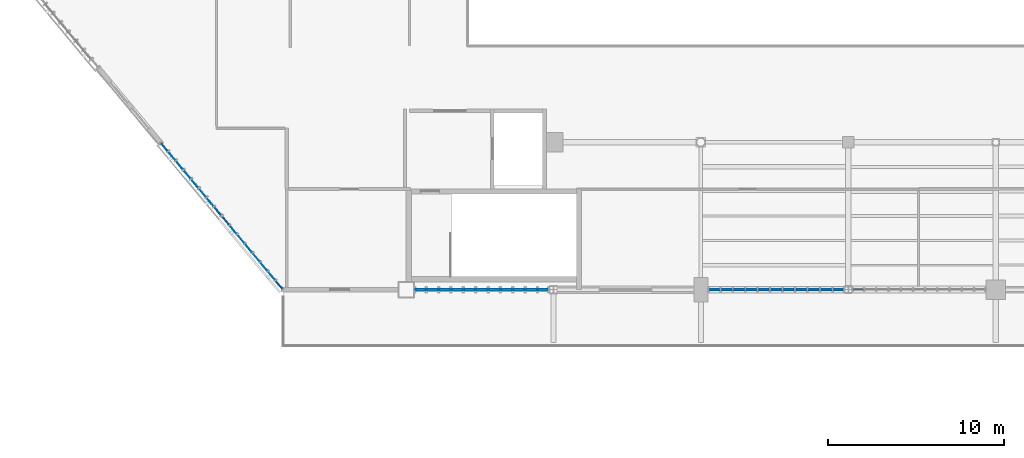
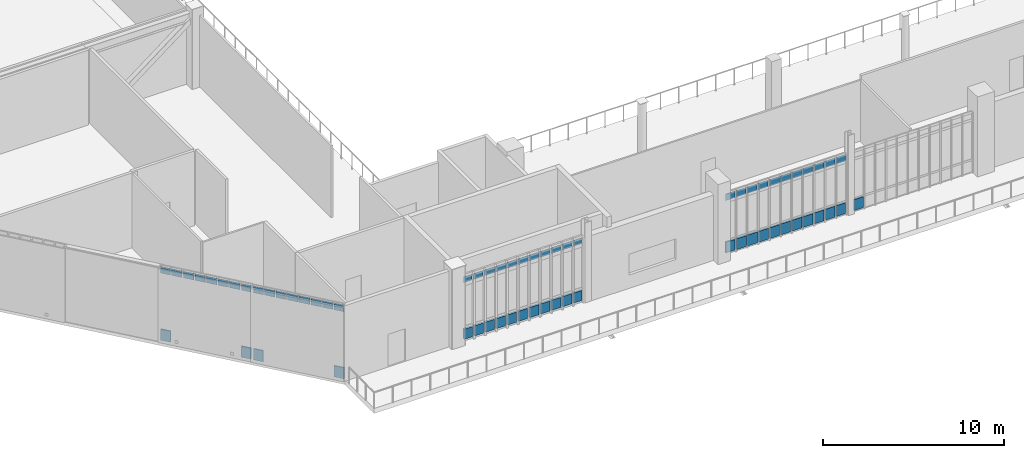
# One storey, part 90 of 135: 65 plates, 5 elements without a shape of their own.
"""IFC4 building model written with IfcOpenShell, lengths in metres."""

from ifc_helpers import new_model, si_unit, direction, frame, origin, origin_2d, place, context, subcontext, project, spatial, rectangle, extrude, material, layer, layer_set, type_object, element, aggregate, save


model = new_model("IFC4")

# Units and contexts
model_context = context("Model", 3, precision=1e-05, world=origin(), true_north=direction((0.0, 1.0)))
body_context = subcontext(model_context, "Body", "Model", "MODEL_VIEW")
ifc_project = project(units=[si_unit("LENGTHUNIT", "METRE"), si_unit("AREAUNIT", "SQUARE_METRE"), si_unit("VOLUMEUNIT", "CUBIC_METRE"), si_unit("PLANEANGLEUNIT", "RADIAN"), si_unit("MASSUNIT", "GRAM", prefix="KILO")], contexts=[model_context])

# Site, building, storey
site_placement = place(None, origin())
site = spatial("IfcSite", under=ifc_project, at=site_placement, CompositionType="ELEMENT")
building_placement = place(site_placement, origin())
building = spatial("IfcBuilding", under=site, at=building_placement, Name="Larkvane Passage Sports Hall", CompositionType="ELEMENT")
storey_placement = place(building_placement, frame((0.0, 0.0, 16.800048828125)))
storey = spatial("IfcBuildingStorey", under=building, at=storey_placement, Name="L03", CompositionType="ELEMENT", Elevation=16.800048828125)

# Curtain wall, plates
ifc_material_1 = material(Name="Thermally broken aluminium and low-E glazing", Category="aluminium")
curtain_wall_type_1 = type_object("IfcCurtainWallType", Name="CW-STICK-FOYER", PredefinedType="USERDEFINED", material=ifc_material_1)
curtain_wall_1_placement = place(storey_placement, origin())
curtain_wall_1 = element("IfcCurtainWall", 1, at=curtain_wall_1_placement, inside=storey, type_object=curtain_wall_type_1, Name="Curtain wall CW5-L03-126", ObjectType="STICK CURTAIN WALL", PredefinedType="USERDEFINED")
ifc_material_2 = material(Name="Fire-stopped shadow-box spandrel panel")
ifc_layer_1 = layer(ifc_material_2, 0.10498046875)
ifc_layer_set_1 = layer_set([ifc_layer_1], Name="Fire-stopped shadow-box spandrel panel")
plate_type_1 = type_object("IfcPlateType", Name="CWP-SPD-105", PredefinedType="CURTAIN_PANEL", material=ifc_layer_set_1)
plate_1_placement = place(storey_placement, frame((59.42578125, 22.800048828125, 0.080078125), z_axis=(0.0, 0.0, 1.0), x_axis=(-1.0, 0.0, 0.0)))
plate_1 = element("IfcPlate", 2, at=plate_1_placement, type_object=plate_type_1, Name="CW-03 panel 1.1", PredefinedType="CURTAIN_PANEL", context=body_context, shape_type="SweptSolid", body=[
    extrude(rectangle(XDim=0.589599609375, YDim=0.10498046875, at=origin_2d()), origin(), (0.0, 0.0, 1.0), 0.72998046875),
])
plate_2_placement = place(storey_placement, frame((58.736328125, 22.800048828125, 0.080078125), z_axis=(0.0, 0.0, 1.0), x_axis=(-1.0, 0.0, 0.0)))
plate_2 = element("IfcPlate", 3, at=plate_2_placement, type_object=plate_type_1, Name="CW-03 panel 2.1", PredefinedType="CURTAIN_PANEL", context=body_context, shape_type="SweptSolid", body=[
    extrude(rectangle(XDim=0.62939453125, YDim=0.10498046875, at=origin_2d()), origin(), (0.0, 0.0, 1.0), 0.72998046875),
])
plate_3_placement = place(storey_placement, frame((58.02685546875, 22.800048828125, 0.080078125), z_axis=(0.0, 0.0, 1.0), x_axis=(-1.0, 0.0, 0.0)))
plate_3 = element("IfcPlate", 4, at=plate_3_placement, type_object=plate_type_1, Name="CW-03 panel 3.1", PredefinedType="CURTAIN_PANEL", context=body_context, shape_type="SweptSolid", body=[
    extrude(rectangle(XDim=0.62939453125, YDim=0.10498046875, at=origin_2d()), origin(), (0.0, 0.0, 1.0), 0.72998046875),
])
plate_4_placement = place(storey_placement, frame((57.317138671875, 22.800048828125, 0.080078125), z_axis=(0.0, 0.0, 1.0), x_axis=(-1.0, 0.0, 0.0)))
plate_4 = element("IfcPlate", 5, at=plate_4_placement, type_object=plate_type_1, Name="CW-03 panel 4.1", PredefinedType="CURTAIN_PANEL", context=body_context, shape_type="SweptSolid", body=[
    extrude(rectangle(XDim=0.62939453125, YDim=0.10498046875, at=origin_2d()), origin(), (0.0, 0.0, 1.0), 0.72998046875),
])
plate_5_placement = place(storey_placement, frame((56.607666015625, 22.800048828125, 0.080078125), z_axis=(0.0, 0.0, 1.0), x_axis=(-1.0, 0.0, 0.0)))
plate_5 = element("IfcPlate", 6, at=plate_5_placement, type_object=plate_type_1, Name="CW-03 panel 5.1", PredefinedType="CURTAIN_PANEL", context=body_context, shape_type="SweptSolid", body=[
    extrude(rectangle(XDim=0.62939453125, YDim=0.10498046875, at=origin_2d()), origin(), (0.0, 0.0, 1.0), 0.72998046875),
])
plate_6_placement = place(storey_placement, frame((55.898193359375, 22.800048828125, 0.080078125), z_axis=(0.0, 0.0, 1.0), x_axis=(-1.0, 0.0, 0.0)))
plate_6 = element("IfcPlate", 7, at=plate_6_placement, type_object=plate_type_1, Name="CW-03 panel 6.1", PredefinedType="CURTAIN_PANEL", context=body_context, shape_type="SweptSolid", body=[
    extrude(rectangle(XDim=0.62939453125, YDim=0.10498046875, at=origin_2d()), origin(), (0.0, 0.0, 1.0), 0.72998046875),
])
plate_7_placement = place(storey_placement, frame((55.188720703125, 22.800048828125, 0.080078125), z_axis=(0.0, 0.0, 1.0), x_axis=(-1.0, 0.0, 0.0)))
plate_7 = element("IfcPlate", 8, at=plate_7_placement, type_object=plate_type_1, Name="CW-03 panel 7.1", PredefinedType="CURTAIN_PANEL", context=body_context, shape_type="SweptSolid", body=[
    extrude(rectangle(XDim=0.62939453125, YDim=0.10498046875, at=origin_2d()), origin(), (0.0, 0.0, 1.0), 0.72998046875),
])
plate_8_placement = place(storey_placement, frame((54.479248046875, 22.800048828125, 0.080078125), z_axis=(0.0, 0.0, 1.0), x_axis=(-1.0, 0.0, 0.0)))
plate_8 = element("IfcPlate", 9, at=plate_8_placement, type_object=plate_type_1, Name="CW-03 panel 8.1", PredefinedType="CURTAIN_PANEL", context=body_context, shape_type="SweptSolid", body=[
    extrude(rectangle(XDim=0.62939453125, YDim=0.10498046875, at=origin_2d()), origin(), (0.0, 0.0, 1.0), 0.72998046875),
])
plate_9_placement = place(storey_placement, frame((53.769775390625, 22.800048828125, 0.080078125), z_axis=(0.0, 0.0, 1.0), x_axis=(-1.0, 0.0, 0.0)))
plate_9 = element("IfcPlate", 10, at=plate_9_placement, type_object=plate_type_1, Name="CW-03 panel 9.1", PredefinedType="CURTAIN_PANEL", context=body_context, shape_type="SweptSolid", body=[
    extrude(rectangle(XDim=0.62939453125, YDim=0.10498046875, at=origin_2d()), origin(), (0.0, 0.0, 1.0), 0.72998046875),
])
plate_10_placement = place(storey_placement, frame((53.060302734375, 22.800048828125, 0.080078125), z_axis=(0.0, 0.0, 1.0), x_axis=(-1.0, 0.0, 0.0)))
plate_10 = element("IfcPlate", 11, at=plate_10_placement, type_object=plate_type_1, Name="CW-03 panel 10.1", PredefinedType="CURTAIN_PANEL", context=body_context, shape_type="SweptSolid", body=[
    extrude(rectangle(XDim=0.62939453125, YDim=0.10498046875, at=origin_2d()), origin(), (0.0, 0.0, 1.0), 0.72998046875),
])
plate_11_placement = place(storey_placement, frame((52.370849609375, 22.800048828125, 0.080078125), z_axis=(0.0, 0.0, 1.0), x_axis=(-1.0, 0.0, 0.0)))
plate_11 = element("IfcPlate", 12, at=plate_11_placement, type_object=plate_type_1, Name="CW-03 panel 11.1", PredefinedType="CURTAIN_PANEL", context=body_context, shape_type="SweptSolid", body=[
    extrude(rectangle(XDim=0.589599609375, YDim=0.10498046875, at=origin_2d()), origin(), (0.0, 0.0, 1.0), 0.72998046875),
])

curtain_wall_type_2 = type_object("IfcCurtainWallType", Name="CW-CLINIC", PredefinedType="USERDEFINED", material=ifc_material_1)
curtain_wall_2_placement = place(storey_placement, origin())
curtain_wall_2 = element("IfcCurtainWall", 13, at=curtain_wall_2_placement, inside=storey, type_object=curtain_wall_type_2, Name="Curtain wall CW5-L03-127", ObjectType="UNITISED CURTAIN WALL", PredefinedType="USERDEFINED")
ifc_material_3 = material(Name="Deep insulated facade spandrel panel")
ifc_layer_2 = layer(ifc_material_3, 0.125)
ifc_layer_set_2 = layer_set([ifc_layer_2], Name="Deep insulated facade spandrel panel")
plate_type_2 = type_object("IfcPlateType", Name="CWP-SPD-125", PredefinedType="CURTAIN_PANEL", material=ifc_layer_set_2)
plate_12_placement = place(storey_placement, frame((42.61572265625, 22.800048828125, 0.10986328125), z_axis=(0.0, 0.0, 1.0), x_axis=(-1.0, 0.0, 0.0)))
plate_12 = element("IfcPlate", 14, at=plate_12_placement, type_object=plate_type_2, Name="CW-05 panel 1.1", PredefinedType="CURTAIN_PANEL", context=body_context, shape_type="SweptSolid", body=[
    extrude(rectangle(XDim=0.53955078125, YDim=0.125, at=origin_2d()), origin(), (0.0, 0.0, 1.0), 0.68505859375),
])
plate_13_placement = place(storey_placement, frame((41.938720703125, 22.800048828125, 0.10986328125), z_axis=(0.0, 0.0, 1.0), x_axis=(-1.0, 0.0, 0.0)))
plate_13 = element("IfcPlate", 15, at=plate_13_placement, type_object=plate_type_2, Name="CW-05 panel 2.1", PredefinedType="CURTAIN_PANEL", context=body_context, shape_type="SweptSolid", body=[
    extrude(rectangle(XDim=0.594482421875, YDim=0.125, at=origin_2d()), origin(), (0.0, 0.0, 1.0), 0.68505859375),
])
plate_14_placement = place(storey_placement, frame((41.234130859375, 22.800048828125, 0.10986328125), z_axis=(0.0, 0.0, 1.0), x_axis=(-1.0, 0.0, 0.0)))
plate_14 = element("IfcPlate", 16, at=plate_14_placement, type_object=plate_type_2, Name="CW-05 panel 3.1", PredefinedType="CURTAIN_PANEL", context=body_context, shape_type="SweptSolid", body=[
    extrude(rectangle(XDim=0.594482421875, YDim=0.125, at=origin_2d()), origin(), (0.0, 0.0, 1.0), 0.68505859375),
])
plate_15_placement = place(storey_placement, frame((40.52978515625, 22.800048828125, 0.10986328125), z_axis=(0.0, 0.0, 1.0), x_axis=(-1.0, 0.0, 0.0)))
plate_15 = element("IfcPlate", 17, at=plate_15_placement, type_object=plate_type_2, Name="CW-05 panel 4.1", PredefinedType="CURTAIN_PANEL", context=body_context, shape_type="SweptSolid", body=[
    extrude(rectangle(XDim=0.594482421875, YDim=0.125, at=origin_2d()), origin(), (0.0, 0.0, 1.0), 0.68505859375),
])
plate_16_placement = place(storey_placement, frame((39.8251953125, 22.800048828125, 0.10986328125), z_axis=(0.0, 0.0, 1.0), x_axis=(-1.0, 0.0, 0.0)))
plate_16 = element("IfcPlate", 18, at=plate_16_placement, type_object=plate_type_2, Name="CW-05 panel 5.1", PredefinedType="CURTAIN_PANEL", context=body_context, shape_type="SweptSolid", body=[
    extrude(rectangle(XDim=0.594482421875, YDim=0.125, at=origin_2d()), origin(), (0.0, 0.0, 1.0), 0.68505859375),
])
plate_17_placement = place(storey_placement, frame((39.120849609375, 22.800048828125, 0.10986328125), z_axis=(0.0, 0.0, 1.0), x_axis=(-1.0, 0.0, 0.0)))
plate_17 = element("IfcPlate", 19, at=plate_17_placement, type_object=plate_type_2, Name="CW-05 panel 6.1", PredefinedType="CURTAIN_PANEL", context=body_context, shape_type="SweptSolid", body=[
    extrude(rectangle(XDim=0.594482421875, YDim=0.125, at=origin_2d()), origin(), (0.0, 0.0, 1.0), 0.68505859375),
])
plate_18_placement = place(storey_placement, frame((38.416259765625, 22.800048828125, 0.10986328125), z_axis=(0.0, 0.0, 1.0), x_axis=(-1.0, 0.0, 0.0)))
plate_18 = element("IfcPlate", 20, at=plate_18_placement, type_object=plate_type_2, Name="CW-05 panel 7.1", PredefinedType="CURTAIN_PANEL", context=body_context, shape_type="SweptSolid", body=[
    extrude(rectangle(XDim=0.594482421875, YDim=0.125, at=origin_2d()), origin(), (0.0, 0.0, 1.0), 0.68505859375),
])
plate_19_placement = place(storey_placement, frame((37.711669921875, 22.800048828125, 0.10986328125), z_axis=(0.0, 0.0, 1.0), x_axis=(-1.0, 0.0, 0.0)))
plate_19 = element("IfcPlate", 21, at=plate_19_placement, type_object=plate_type_2, Name="CW-05 panel 8.1", PredefinedType="CURTAIN_PANEL", context=body_context, shape_type="SweptSolid", body=[
    extrude(rectangle(XDim=0.594482421875, YDim=0.125, at=origin_2d()), origin(), (0.0, 0.0, 1.0), 0.68505859375),
])
plate_20_placement = place(storey_placement, frame((37.00732421875, 22.800048828125, 0.10986328125), z_axis=(0.0, 0.0, 1.0), x_axis=(-1.0, 0.0, 0.0)))
plate_20 = element("IfcPlate", 22, at=plate_20_placement, type_object=plate_type_2, Name="CW-05 panel 9.1", PredefinedType="CURTAIN_PANEL", context=body_context, shape_type="SweptSolid", body=[
    extrude(rectangle(XDim=0.594482421875, YDim=0.125, at=origin_2d()), origin(), (0.0, 0.0, 1.0), 0.68505859375),
])
plate_21_placement = place(storey_placement, frame((36.302734375, 22.800048828125, 0.10986328125), z_axis=(0.0, 0.0, 1.0), x_axis=(-1.0, 0.0, 0.0)))
plate_21 = element("IfcPlate", 23, at=plate_21_placement, type_object=plate_type_2, Name="CW-05 panel 10.1", PredefinedType="CURTAIN_PANEL", context=body_context, shape_type="SweptSolid", body=[
    extrude(rectangle(XDim=0.594482421875, YDim=0.125, at=origin_2d()), origin(), (0.0, 0.0, 1.0), 0.68505859375),
])
plate_22_placement = place(storey_placement, frame((35.625732421875, 22.800048828125, 0.10986328125), z_axis=(0.0, 0.0, 1.0), x_axis=(-1.0, 0.0, 0.0)))
plate_22 = element("IfcPlate", 24, at=plate_22_placement, type_object=plate_type_2, Name="CW-05 panel 11.1", PredefinedType="CURTAIN_PANEL", context=body_context, shape_type="SweptSolid", body=[
    extrude(rectangle(XDim=0.53955078125, YDim=0.125, at=origin_2d()), origin(), (0.0, 0.0, 1.0), 0.68505859375),
])

curtain_wall_type_3 = type_object("IfcCurtainWallType", Name="CW-UNIT-COURT", PredefinedType="USERDEFINED", material=ifc_material_1)
curtain_wall_3_placement = place(storey_placement, origin())
curtain_wall_3 = element("IfcCurtainWall", 25, at=curtain_wall_3_placement, inside=storey, type_object=curtain_wall_type_3, Name="Curtain wall CW5-L03-128", ObjectType="UNITISED CURTAIN WALL", PredefinedType="USERDEFINED")
ifc_material_4 = material(Name="Insulated aluminium spandrel panel", Category="aluminium")
ifc_layer_3 = layer(ifc_material_4, 0.06494140625)
ifc_layer_set_3 = layer_set([ifc_layer_3], Name="Insulated aluminium spandrel panel")
plate_type_3 = type_object("IfcPlateType", Name="CWP-SPD-65", PredefinedType="CURTAIN_PANEL", material=ifc_layer_set_3)
plate_23_placement = place(storey_placement, frame((27.57080078125, 23.074951171875, 0.06494140625), z_axis=(0.0, 0.0, 1.0), x_axis=(-0.640184399661, 0.7682212796, 0.0)))
plate_23 = element("IfcPlate", 26, at=plate_23_placement, type_object=plate_type_3, Name="CW-01 panel 1.1", PredefinedType="CURTAIN_PANEL", context=body_context, shape_type="SweptSolid", body=[
    extrude(rectangle(XDim=0.5859375, YDim=0.06494140625, at=origin_2d()), origin(), (0.0, 0.0, 1.0), 0.75244140625),
])
plate_24_placement = place(storey_placement, frame((24.529052734375, 26.72509765625, 0.06494140625), z_axis=(0.0, 0.0, 1.0), x_axis=(-0.640184399661, 0.7682212796, 0.0)))
plate_24 = element("IfcPlate", 27, at=plate_24_placement, type_object=plate_type_3, Name="CW-01 panel 8.1", PredefinedType="CURTAIN_PANEL", context=body_context, shape_type="SweptSolid", body=[
    extrude(rectangle(XDim=0.5859375, YDim=0.06494140625, at=origin_2d()), origin(), (0.0, 0.0, 1.0), 0.75244140625),
])

# Curtain wall, plate
curtain_wall_type_4 = type_object("IfcCurtainWallType", Name="CW-UNIT-VEIL", PredefinedType="USERDEFINED", material=ifc_material_1)
curtain_wall_4_placement = place(storey_placement, origin())
curtain_wall_4 = element("IfcCurtainWall", 28, at=curtain_wall_4_placement, inside=storey, type_object=curtain_wall_type_4, Name="Curtain wall CW5-L03-125", ObjectType="UNITISED CURTAIN WALL", PredefinedType="USERDEFINED")
ifc_material_5 = material(Name="Mineral-wool insulated spandrel cassette")
ifc_layer_4 = layer(ifc_material_5, 0.0849609375)
ifc_layer_set_4 = layer_set([ifc_layer_4], Name="Mineral-wool insulated spandrel cassette")
plate_type_4 = type_object("IfcPlateType", Name="CWP-SPD-85", PredefinedType="CURTAIN_PANEL", material=ifc_layer_set_4)
plate_25_placement = place(storey_placement, frame((60.56494140625, 22.800048828125, 0.06982421875), z_axis=(0.0, 0.0, 1.0), x_axis=(-1.0, 0.0, 0.0)))
plate_25 = element("IfcPlate", 29, at=plate_25_placement, type_object=plate_type_4, Name="CW-02 panel 11.1", PredefinedType="CURTAIN_PANEL", context=body_context, shape_type="SweptSolid", body=[
    extrude(rectangle(XDim=0.5908203125, YDim=0.0849609375, at=origin_2d()), origin(), (0.0, 0.0, 1.0), 0.7451171875),
])
aggregate(curtain_wall_4, [plate_25])

# Curtain wall, plates
curtain_wall_5_placement = place(storey_placement, origin())
curtain_wall_5 = element("IfcCurtainWall", 30, at=curtain_wall_5_placement, inside=storey, type_object=curtain_wall_type_4, Name="Curtain wall CW5-L03-129", ObjectType="UNITISED CURTAIN WALL", PredefinedType="USERDEFINED")
plate_26_placement = place(storey_placement, frame((24.0693359375, 27.27685546875, 0.07470703125), z_axis=(0.0, 0.0, 1.0), x_axis=(-0.640184399661, 0.7682212796, 0.0)))
plate_26 = element("IfcPlate", 31, at=plate_26_placement, type_object=plate_type_4, Name="CW-02 panel 1.1", PredefinedType="CURTAIN_PANEL", context=body_context, shape_type="SweptSolid", body=[
    extrude(rectangle(XDim=0.57080078125, YDim=0.0849609375, at=origin_2d()), origin(), (0.0, 0.0, 1.0), 0.737548828125),
])
plate_27_placement = place(storey_placement, frame((21.03076171875, 30.923095703125, 0.07470703125), z_axis=(0.0, 0.0, 1.0), x_axis=(-0.640184399661, 0.7682212796, 0.0)))
plate_27 = element("IfcPlate", 32, at=plate_27_placement, type_object=plate_type_4, Name="CW-02 panel 8.1", PredefinedType="CURTAIN_PANEL", context=body_context, shape_type="SweptSolid", body=[
    extrude(rectangle(XDim=0.57080078125, YDim=0.0849609375, at=origin_2d()), origin(), (0.0, 0.0, 1.0), 0.737548828125),
])

# Plate
ifc_material_6 = material(Name="Solar-control low-E double glazing", Category="glass")
ifc_layer_5 = layer(ifc_material_6, 0.028076171875)
ifc_layer_set_5 = layer_set([ifc_layer_5], Name="Solar-control low-E double glazing")
plate_type_5 = type_object("IfcPlateType", Name="CWP-VIS-28", PredefinedType="CURTAIN_PANEL", material=ifc_layer_set_5)
plate_28_placement = place(storey_placement, frame((27.57080078125, 23.074951171875, 4.58251953125), z_axis=(0.0, 0.0, 1.0), x_axis=(-0.640184399661, 0.7682212796, 0.0)))
plate_28 = element("IfcPlate", 33, at=plate_28_placement, type_object=plate_type_5, Name="CW-01 panel 1.3", PredefinedType="CURTAIN_PANEL", context=body_context, shape_type="SweptSolid", body=[
    extrude(rectangle(XDim=0.5859375, YDim=0.028076171875, at=origin_2d()), origin(), (0.0, 0.0, 1.0), 0.452392578125),
])

plate_29_placement = place(storey_placement, frame((27.143798828125, 23.58740234375, 4.58251953125), z_axis=(0.0, 0.0, 1.0), x_axis=(-0.640184399661, 0.7682212796, 0.0)))
plate_29 = element("IfcPlate", 34, at=plate_29_placement, type_object=plate_type_5, Name="CW-01 panel 2.3", PredefinedType="CURTAIN_PANEL", context=body_context, shape_type="SweptSolid", body=[
    extrude(rectangle(XDim=0.618408203125, YDim=0.028076171875, at=origin_2d()), origin(), (0.0, 0.0, 1.0), 0.452392578125),
])

plate_30_placement = place(storey_placement, frame((26.706298828125, 24.112548828125, 4.58251953125), z_axis=(0.0, 0.0, 1.0), x_axis=(-0.640184399661, 0.7682212796, 0.0)))
plate_30 = element("IfcPlate", 35, at=plate_30_placement, type_object=plate_type_5, Name="CW-01 panel 3.3", PredefinedType="CURTAIN_PANEL", context=body_context, shape_type="SweptSolid", body=[
    extrude(rectangle(XDim=0.618408203125, YDim=0.028076171875, at=origin_2d()), origin(), (0.0, 0.0, 1.0), 0.452392578125),
])

plate_31_placement = place(storey_placement, frame((26.268798828125, 24.637451171875, 4.58251953125), z_axis=(0.0, 0.0, 1.0), x_axis=(-0.640184399661, 0.7682212796, 0.0)))
plate_31 = element("IfcPlate", 36, at=plate_31_placement, type_object=plate_type_5, Name="CW-01 panel 4.3", PredefinedType="CURTAIN_PANEL", context=body_context, shape_type="SweptSolid", body=[
    extrude(rectangle(XDim=0.618408203125, YDim=0.028076171875, at=origin_2d()), origin(), (0.0, 0.0, 1.0), 0.452392578125),
])

plate_32_placement = place(storey_placement, frame((25.831298828125, 25.16259765625, 4.58251953125), z_axis=(0.0, 0.0, 1.0), x_axis=(-0.640184399661, 0.7682212796, 0.0)))
plate_32 = element("IfcPlate", 37, at=plate_32_placement, type_object=plate_type_5, Name="CW-01 panel 5.3", PredefinedType="CURTAIN_PANEL", context=body_context, shape_type="SweptSolid", body=[
    extrude(rectangle(XDim=0.618408203125, YDim=0.028076171875, at=origin_2d()), origin(), (0.0, 0.0, 1.0), 0.452392578125),
])

plate_33_placement = place(storey_placement, frame((25.393798828125, 25.6875, 4.58251953125), z_axis=(0.0, 0.0, 1.0), x_axis=(-0.640184399661, 0.7682212796, 0.0)))
plate_33 = element("IfcPlate", 38, at=plate_33_placement, type_object=plate_type_5, Name="CW-01 panel 6.3", PredefinedType="CURTAIN_PANEL", context=body_context, shape_type="SweptSolid", body=[
    extrude(rectangle(XDim=0.618408203125, YDim=0.028076171875, at=origin_2d()), origin(), (0.0, 0.0, 1.0), 0.452392578125),
])

plate_34_placement = place(storey_placement, frame((24.956298828125, 26.21240234375, 4.58251953125), z_axis=(0.0, 0.0, 1.0), x_axis=(-0.640184399661, 0.7682212796, 0.0)))
plate_34 = element("IfcPlate", 39, at=plate_34_placement, type_object=plate_type_5, Name="CW-01 panel 7.3", PredefinedType="CURTAIN_PANEL", context=body_context, shape_type="SweptSolid", body=[
    extrude(rectangle(XDim=0.618408203125, YDim=0.028076171875, at=origin_2d()), origin(), (0.0, 0.0, 1.0), 0.452392578125),
])

plate_35_placement = place(storey_placement, frame((24.529052734375, 26.72509765625, 4.58251953125), z_axis=(0.0, 0.0, 1.0), x_axis=(-0.640184399661, 0.7682212796, 0.0)))
plate_35 = element("IfcPlate", 40, at=plate_35_placement, type_object=plate_type_5, Name="CW-01 panel 8.3", PredefinedType="CURTAIN_PANEL", context=body_context, shape_type="SweptSolid", body=[
    extrude(rectangle(XDim=0.5859375, YDim=0.028076171875, at=origin_2d()), origin(), (0.0, 0.0, 1.0), 0.452392578125),
])

aggregate(curtain_wall_3, [plate_23, plate_28, plate_29, plate_30, plate_31, plate_32, plate_33, plate_34, plate_24, plate_35])

ifc_material_7 = material(Name="Laminated acoustic low-E glazing", Category="glass")
ifc_layer_6 = layer(ifc_material_7, 0.031982421875)
ifc_layer_set_6 = layer_set([ifc_layer_6], Name="Laminated acoustic low-E glazing")
plate_type_6 = type_object("IfcPlateType", Name="CWP-VIS-32", PredefinedType="CURTAIN_PANEL", material=ifc_layer_set_6)
plate_36_placement = place(storey_placement, frame((24.0693359375, 27.27685546875, 4.58740234375), z_axis=(0.0, 0.0, 1.0), x_axis=(-0.640184399661, 0.7682212796, 0.0)))
plate_36 = element("IfcPlate", 41, at=plate_36_placement, type_object=plate_type_6, Name="CW-02 panel 1.3", PredefinedType="CURTAIN_PANEL", context=body_context, shape_type="SweptSolid", body=[
    extrude(rectangle(XDim=0.57080078125, YDim=0.031982421875, at=origin_2d()), origin(), (0.0, 0.0, 1.0), 0.4375),
])

plate_37_placement = place(storey_placement, frame((23.643798828125, 27.78759765625, 4.58740234375), z_axis=(0.0, 0.0, 1.0), x_axis=(-0.640184399661, 0.7682212796, 0.0)))
plate_37 = element("IfcPlate", 42, at=plate_37_placement, type_object=plate_type_6, Name="CW-02 panel 2.3", PredefinedType="CURTAIN_PANEL", context=body_context, shape_type="SweptSolid", body=[
    extrude(rectangle(XDim=0.6083984375, YDim=0.031982421875, at=origin_2d()), origin(), (0.0, 0.0, 1.0), 0.4375),
])

plate_38_placement = place(storey_placement, frame((23.206298828125, 28.3125, 4.58740234375), z_axis=(0.0, 0.0, 1.0), x_axis=(-0.640184399661, 0.7682212796, 0.0)))
plate_38 = element("IfcPlate", 43, at=plate_38_placement, type_object=plate_type_6, Name="CW-02 panel 3.3", PredefinedType="CURTAIN_PANEL", context=body_context, shape_type="SweptSolid", body=[
    extrude(rectangle(XDim=0.6083984375, YDim=0.031982421875, at=origin_2d()), origin(), (0.0, 0.0, 1.0), 0.4375),
])

plate_39_placement = place(storey_placement, frame((22.768798828125, 28.83740234375, 4.58740234375), z_axis=(0.0, 0.0, 1.0), x_axis=(-0.640184399661, 0.7682212796, 0.0)))
plate_39 = element("IfcPlate", 44, at=plate_39_placement, type_object=plate_type_6, Name="CW-02 panel 4.3", PredefinedType="CURTAIN_PANEL", context=body_context, shape_type="SweptSolid", body=[
    extrude(rectangle(XDim=0.6083984375, YDim=0.031982421875, at=origin_2d()), origin(), (0.0, 0.0, 1.0), 0.4375),
])

plate_40_placement = place(storey_placement, frame((22.331298828125, 29.362548828125, 4.58740234375), z_axis=(0.0, 0.0, 1.0), x_axis=(-0.640184399661, 0.7682212796, 0.0)))
plate_40 = element("IfcPlate", 45, at=plate_40_placement, type_object=plate_type_6, Name="CW-02 panel 5.3", PredefinedType="CURTAIN_PANEL", context=body_context, shape_type="SweptSolid", body=[
    extrude(rectangle(XDim=0.6083984375, YDim=0.031982421875, at=origin_2d()), origin(), (0.0, 0.0, 1.0), 0.4375),
])

plate_41_placement = place(storey_placement, frame((21.893798828125, 29.887451171875, 4.58740234375), z_axis=(0.0, 0.0, 1.0), x_axis=(-0.640184399661, 0.7682212796, 0.0)))
plate_41 = element("IfcPlate", 46, at=plate_41_placement, type_object=plate_type_6, Name="CW-02 panel 6.3", PredefinedType="CURTAIN_PANEL", context=body_context, shape_type="SweptSolid", body=[
    extrude(rectangle(XDim=0.6083984375, YDim=0.031982421875, at=origin_2d()), origin(), (0.0, 0.0, 1.0), 0.4375),
])

plate_42_placement = place(storey_placement, frame((21.456298828125, 30.41259765625, 4.58740234375), z_axis=(0.0, 0.0, 1.0), x_axis=(-0.640184399661, 0.7682212796, 0.0)))
plate_42 = element("IfcPlate", 47, at=plate_42_placement, type_object=plate_type_6, Name="CW-02 panel 7.3", PredefinedType="CURTAIN_PANEL", context=body_context, shape_type="SweptSolid", body=[
    extrude(rectangle(XDim=0.6083984375, YDim=0.031982421875, at=origin_2d()), origin(), (0.0, 0.0, 1.0), 0.4375),
])

plate_43_placement = place(storey_placement, frame((21.03076171875, 30.923095703125, 4.58740234375), z_axis=(0.0, 0.0, 1.0), x_axis=(-0.640184399661, 0.7682212796, 0.0)))
plate_43 = element("IfcPlate", 48, at=plate_43_placement, type_object=plate_type_6, Name="CW-02 panel 8.3", PredefinedType="CURTAIN_PANEL", context=body_context, shape_type="SweptSolid", body=[
    extrude(rectangle(XDim=0.57080078125, YDim=0.031982421875, at=origin_2d()), origin(), (0.0, 0.0, 1.0), 0.4375),
])

aggregate(curtain_wall_5, [plate_26, plate_36, plate_37, plate_38, plate_39, plate_40, plate_41, plate_42, plate_27, plate_43])

ifc_material_8 = material(Name="High-impact court low-E glazing", Category="glass")
ifc_layer_7 = layer(ifc_material_8, 0.035888671875)
ifc_layer_set_7 = layer_set([ifc_layer_7], Name="High-impact court low-E glazing")
plate_type_7 = type_object("IfcPlateType", Name="CWP-VIS-36", PredefinedType="CURTAIN_PANEL", material=ifc_layer_set_7)
plate_44_placement = place(storey_placement, frame((59.42578125, 22.800048828125, 3.59814453125), z_axis=(0.0, 0.0, 1.0), x_axis=(-1.0, 0.0, 0.0)))
plate_44 = element("IfcPlate", 49, at=plate_44_placement, type_object=plate_type_7, Name="CW-03 panel 1.3", PredefinedType="CURTAIN_PANEL", context=body_context, shape_type="SweptSolid", body=[
    extrude(rectangle(XDim=0.589599609375, YDim=0.035888671875, at=origin_2d()), origin(), (0.0, 0.0, 1.0), 0.429931640625),
])

plate_45_placement = place(storey_placement, frame((58.736328125, 22.800048828125, 3.59814453125), z_axis=(0.0, 0.0, 1.0), x_axis=(-1.0, 0.0, 0.0)))
plate_45 = element("IfcPlate", 50, at=plate_45_placement, type_object=plate_type_7, Name="CW-03 panel 2.3", PredefinedType="CURTAIN_PANEL", context=body_context, shape_type="SweptSolid", body=[
    extrude(rectangle(XDim=0.62939453125, YDim=0.035888671875, at=origin_2d()), origin(), (0.0, 0.0, 1.0), 0.429931640625),
])

plate_46_placement = place(storey_placement, frame((58.02685546875, 22.800048828125, 3.59814453125), z_axis=(0.0, 0.0, 1.0), x_axis=(-1.0, 0.0, 0.0)))
plate_46 = element("IfcPlate", 51, at=plate_46_placement, type_object=plate_type_7, Name="CW-03 panel 3.3", PredefinedType="CURTAIN_PANEL", context=body_context, shape_type="SweptSolid", body=[
    extrude(rectangle(XDim=0.62939453125, YDim=0.035888671875, at=origin_2d()), origin(), (0.0, 0.0, 1.0), 0.429931640625),
])

plate_47_placement = place(storey_placement, frame((57.317138671875, 22.800048828125, 3.59814453125), z_axis=(0.0, 0.0, 1.0), x_axis=(-1.0, 0.0, 0.0)))
plate_47 = element("IfcPlate", 52, at=plate_47_placement, type_object=plate_type_7, Name="CW-03 panel 4.3", PredefinedType="CURTAIN_PANEL", context=body_context, shape_type="SweptSolid", body=[
    extrude(rectangle(XDim=0.62939453125, YDim=0.035888671875, at=origin_2d()), origin(), (0.0, 0.0, 1.0), 0.429931640625),
])

plate_48_placement = place(storey_placement, frame((56.607666015625, 22.800048828125, 3.59814453125), z_axis=(0.0, 0.0, 1.0), x_axis=(-1.0, 0.0, 0.0)))
plate_48 = element("IfcPlate", 53, at=plate_48_placement, type_object=plate_type_7, Name="CW-03 panel 5.3", PredefinedType="CURTAIN_PANEL", context=body_context, shape_type="SweptSolid", body=[
    extrude(rectangle(XDim=0.62939453125, YDim=0.035888671875, at=origin_2d()), origin(), (0.0, 0.0, 1.0), 0.429931640625),
])

plate_49_placement = place(storey_placement, frame((55.898193359375, 22.800048828125, 3.59814453125), z_axis=(0.0, 0.0, 1.0), x_axis=(-1.0, 0.0, 0.0)))
plate_49 = element("IfcPlate", 54, at=plate_49_placement, type_object=plate_type_7, Name="CW-03 panel 6.3", PredefinedType="CURTAIN_PANEL", context=body_context, shape_type="SweptSolid", body=[
    extrude(rectangle(XDim=0.62939453125, YDim=0.035888671875, at=origin_2d()), origin(), (0.0, 0.0, 1.0), 0.429931640625),
])

plate_50_placement = place(storey_placement, frame((55.188720703125, 22.800048828125, 3.59814453125), z_axis=(0.0, 0.0, 1.0), x_axis=(-1.0, 0.0, 0.0)))
plate_50 = element("IfcPlate", 55, at=plate_50_placement, type_object=plate_type_7, Name="CW-03 panel 7.3", PredefinedType="CURTAIN_PANEL", context=body_context, shape_type="SweptSolid", body=[
    extrude(rectangle(XDim=0.62939453125, YDim=0.035888671875, at=origin_2d()), origin(), (0.0, 0.0, 1.0), 0.429931640625),
])

plate_51_placement = place(storey_placement, frame((54.479248046875, 22.800048828125, 3.59814453125), z_axis=(0.0, 0.0, 1.0), x_axis=(-1.0, 0.0, 0.0)))
plate_51 = element("IfcPlate", 56, at=plate_51_placement, type_object=plate_type_7, Name="CW-03 panel 8.3", PredefinedType="CURTAIN_PANEL", context=body_context, shape_type="SweptSolid", body=[
    extrude(rectangle(XDim=0.62939453125, YDim=0.035888671875, at=origin_2d()), origin(), (0.0, 0.0, 1.0), 0.429931640625),
])

plate_52_placement = place(storey_placement, frame((53.769775390625, 22.800048828125, 3.59814453125), z_axis=(0.0, 0.0, 1.0), x_axis=(-1.0, 0.0, 0.0)))
plate_52 = element("IfcPlate", 57, at=plate_52_placement, type_object=plate_type_7, Name="CW-03 panel 9.3", PredefinedType="CURTAIN_PANEL", context=body_context, shape_type="SweptSolid", body=[
    extrude(rectangle(XDim=0.62939453125, YDim=0.035888671875, at=origin_2d()), origin(), (0.0, 0.0, 1.0), 0.429931640625),
])

plate_53_placement = place(storey_placement, frame((53.060302734375, 22.800048828125, 3.59814453125), z_axis=(0.0, 0.0, 1.0), x_axis=(-1.0, 0.0, 0.0)))
plate_53 = element("IfcPlate", 58, at=plate_53_placement, type_object=plate_type_7, Name="CW-03 panel 10.3", PredefinedType="CURTAIN_PANEL", context=body_context, shape_type="SweptSolid", body=[
    extrude(rectangle(XDim=0.62939453125, YDim=0.035888671875, at=origin_2d()), origin(), (0.0, 0.0, 1.0), 0.429931640625),
])

plate_54_placement = place(storey_placement, frame((52.370849609375, 22.800048828125, 3.59814453125), z_axis=(0.0, 0.0, 1.0), x_axis=(-1.0, 0.0, 0.0)))
plate_54 = element("IfcPlate", 59, at=plate_54_placement, type_object=plate_type_7, Name="CW-03 panel 11.3", PredefinedType="CURTAIN_PANEL", context=body_context, shape_type="SweptSolid", body=[
    extrude(rectangle(XDim=0.589599609375, YDim=0.035888671875, at=origin_2d()), origin(), (0.0, 0.0, 1.0), 0.429931640625),
])

aggregate(curtain_wall_1, [plate_1, plate_44, plate_2, plate_45, plate_3, plate_46, plate_4, plate_47, plate_5, plate_48, plate_6, plate_49, plate_7, plate_50, plate_8, plate_51, plate_9, plate_52, plate_10, plate_53, plate_11, plate_54])

ifc_material_9 = material(Name="Triple-laminated typhoon glazing", Category="glass")
ifc_layer_8 = layer(ifc_material_9, 0.0419921875)
ifc_layer_set_8 = layer_set([ifc_layer_8], Name="Triple-laminated typhoon glazing")
plate_type_8 = type_object("IfcPlateType", Name="CWP-VIS-42", PredefinedType="CURTAIN_PANEL", material=ifc_layer_set_8)
plate_55_placement = place(storey_placement, frame((42.61572265625, 22.800048828125, 3.9130859375), z_axis=(0.0, 0.0, 1.0), x_axis=(-1.0, 0.0, 0.0)))
plate_55 = element("IfcPlate", 60, at=plate_55_placement, type_object=plate_type_8, Name="CW-05 panel 1.3", PredefinedType="CURTAIN_PANEL", context=body_context, shape_type="SweptSolid", body=[
    extrude(rectangle(XDim=0.53955078125, YDim=0.0419921875, at=origin_2d()), origin(), (0.0, 0.0, 1.0), 0.385009765625),
])

plate_56_placement = place(storey_placement, frame((41.938720703125, 22.800048828125, 3.9130859375), z_axis=(0.0, 0.0, 1.0), x_axis=(-1.0, 0.0, 0.0)))
plate_56 = element("IfcPlate", 61, at=plate_56_placement, type_object=plate_type_8, Name="CW-05 panel 2.3", PredefinedType="CURTAIN_PANEL", context=body_context, shape_type="SweptSolid", body=[
    extrude(rectangle(XDim=0.594482421875, YDim=0.0419921875, at=origin_2d()), origin(), (0.0, 0.0, 1.0), 0.385009765625),
])

plate_57_placement = place(storey_placement, frame((41.234130859375, 22.800048828125, 3.9130859375), z_axis=(0.0, 0.0, 1.0), x_axis=(-1.0, 0.0, 0.0)))
plate_57 = element("IfcPlate", 62, at=plate_57_placement, type_object=plate_type_8, Name="CW-05 panel 3.3", PredefinedType="CURTAIN_PANEL", context=body_context, shape_type="SweptSolid", body=[
    extrude(rectangle(XDim=0.594482421875, YDim=0.0419921875, at=origin_2d()), origin(), (0.0, 0.0, 1.0), 0.385009765625),
])

plate_58_placement = place(storey_placement, frame((40.52978515625, 22.800048828125, 3.9130859375), z_axis=(0.0, 0.0, 1.0), x_axis=(-1.0, 0.0, 0.0)))
plate_58 = element("IfcPlate", 63, at=plate_58_placement, type_object=plate_type_8, Name="CW-05 panel 4.3", PredefinedType="CURTAIN_PANEL", context=body_context, shape_type="SweptSolid", body=[
    extrude(rectangle(XDim=0.594482421875, YDim=0.0419921875, at=origin_2d()), origin(), (0.0, 0.0, 1.0), 0.385009765625),
])

plate_59_placement = place(storey_placement, frame((39.8251953125, 22.800048828125, 3.9130859375), z_axis=(0.0, 0.0, 1.0), x_axis=(-1.0, 0.0, 0.0)))
plate_59 = element("IfcPlate", 64, at=plate_59_placement, type_object=plate_type_8, Name="CW-05 panel 5.3", PredefinedType="CURTAIN_PANEL", context=body_context, shape_type="SweptSolid", body=[
    extrude(rectangle(XDim=0.594482421875, YDim=0.0419921875, at=origin_2d()), origin(), (0.0, 0.0, 1.0), 0.385009765625),
])

plate_60_placement = place(storey_placement, frame((39.120849609375, 22.800048828125, 3.9130859375), z_axis=(0.0, 0.0, 1.0), x_axis=(-1.0, 0.0, 0.0)))
plate_60 = element("IfcPlate", 65, at=plate_60_placement, type_object=plate_type_8, Name="CW-05 panel 6.3", PredefinedType="CURTAIN_PANEL", context=body_context, shape_type="SweptSolid", body=[
    extrude(rectangle(XDim=0.594482421875, YDim=0.0419921875, at=origin_2d()), origin(), (0.0, 0.0, 1.0), 0.385009765625),
])

plate_61_placement = place(storey_placement, frame((38.416259765625, 22.800048828125, 3.9130859375), z_axis=(0.0, 0.0, 1.0), x_axis=(-1.0, 0.0, 0.0)))
plate_61 = element("IfcPlate", 66, at=plate_61_placement, type_object=plate_type_8, Name="CW-05 panel 7.3", PredefinedType="CURTAIN_PANEL", context=body_context, shape_type="SweptSolid", body=[
    extrude(rectangle(XDim=0.594482421875, YDim=0.0419921875, at=origin_2d()), origin(), (0.0, 0.0, 1.0), 0.385009765625),
])

plate_62_placement = place(storey_placement, frame((37.711669921875, 22.800048828125, 3.9130859375), z_axis=(0.0, 0.0, 1.0), x_axis=(-1.0, 0.0, 0.0)))
plate_62 = element("IfcPlate", 67, at=plate_62_placement, type_object=plate_type_8, Name="CW-05 panel 8.3", PredefinedType="CURTAIN_PANEL", context=body_context, shape_type="SweptSolid", body=[
    extrude(rectangle(XDim=0.594482421875, YDim=0.0419921875, at=origin_2d()), origin(), (0.0, 0.0, 1.0), 0.385009765625),
])

plate_63_placement = place(storey_placement, frame((37.00732421875, 22.800048828125, 3.9130859375), z_axis=(0.0, 0.0, 1.0), x_axis=(-1.0, 0.0, 0.0)))
plate_63 = element("IfcPlate", 68, at=plate_63_placement, type_object=plate_type_8, Name="CW-05 panel 9.3", PredefinedType="CURTAIN_PANEL", context=body_context, shape_type="SweptSolid", body=[
    extrude(rectangle(XDim=0.594482421875, YDim=0.0419921875, at=origin_2d()), origin(), (0.0, 0.0, 1.0), 0.385009765625),
])

plate_64_placement = place(storey_placement, frame((36.302734375, 22.800048828125, 3.9130859375), z_axis=(0.0, 0.0, 1.0), x_axis=(-1.0, 0.0, 0.0)))
plate_64 = element("IfcPlate", 69, at=plate_64_placement, type_object=plate_type_8, Name="CW-05 panel 10.3", PredefinedType="CURTAIN_PANEL", context=body_context, shape_type="SweptSolid", body=[
    extrude(rectangle(XDim=0.594482421875, YDim=0.0419921875, at=origin_2d()), origin(), (0.0, 0.0, 1.0), 0.385009765625),
])

plate_65_placement = place(storey_placement, frame((35.625732421875, 22.800048828125, 3.9130859375), z_axis=(0.0, 0.0, 1.0), x_axis=(-1.0, 0.0, 0.0)))
plate_65 = element("IfcPlate", 70, at=plate_65_placement, type_object=plate_type_8, Name="CW-05 panel 11.3", PredefinedType="CURTAIN_PANEL", context=body_context, shape_type="SweptSolid", body=[
    extrude(rectangle(XDim=0.53955078125, YDim=0.0419921875, at=origin_2d()), origin(), (0.0, 0.0, 1.0), 0.385009765625),
])

aggregate(curtain_wall_2, [plate_12, plate_55, plate_13, plate_56, plate_14, plate_57, plate_15, plate_58, plate_16, plate_59, plate_17, plate_60, plate_18, plate_61, plate_19, plate_62, plate_20, plate_63, plate_21, plate_64, plate_22, plate_65])

save(model, "model.ifc")
